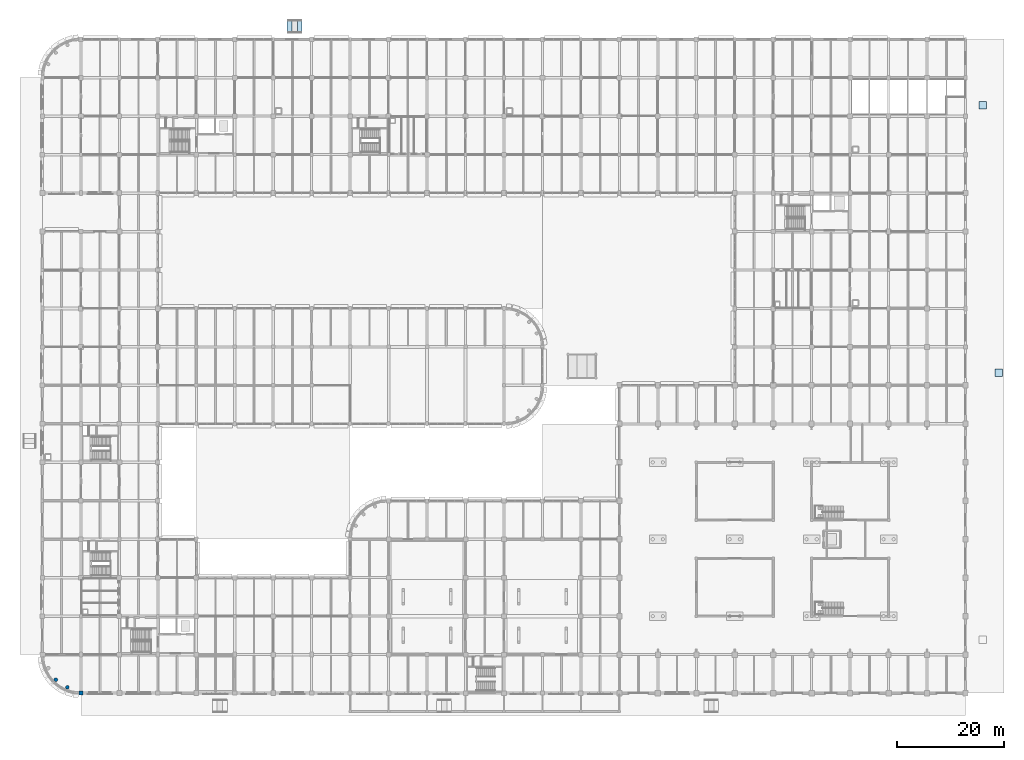
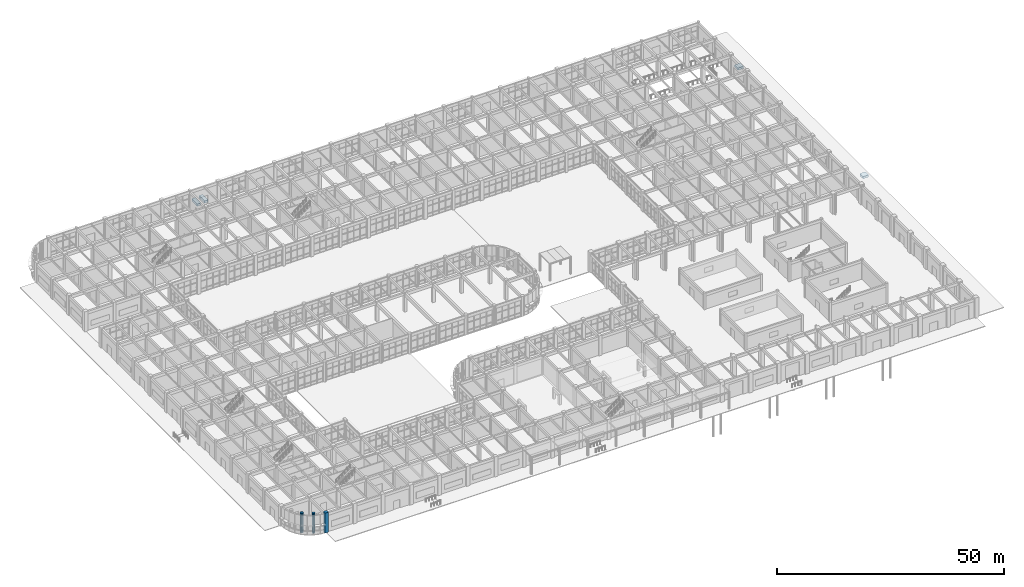
# One storey, part 2 of 160: 4 footings, 3 columns.
"""IFC4 building model written with IfcOpenShell, lengths in metres."""

from ifc_helpers import new_model, si_unit, direction, frame, origin, origin_2d, place, context, subcontext, project, spatial, rectangle, circle, extrude, material, material_profile, profile_set, type_object, element, save


model = new_model("IFC4")

# Units and contexts
model_context = context("Model", 3, precision=1e-05, world=origin(), true_north=direction((0.0, 1.0)))
body_context = subcontext(model_context, "Body", "Model", "MODEL_VIEW")
ifc_project = project(units=[si_unit("LENGTHUNIT", "METRE"), si_unit("AREAUNIT", "SQUARE_METRE"), si_unit("VOLUMEUNIT", "CUBIC_METRE"), si_unit("PLANEANGLEUNIT", "RADIAN"), si_unit("MASSUNIT", "GRAM", prefix="KILO")], contexts=[model_context])

# Site, building, storey
site_placement = place(None, origin())
site = spatial("IfcSite", under=ifc_project, at=site_placement, CompositionType="ELEMENT")
building_placement = place(site_placement, origin())
building = spatial("IfcBuilding", under=site, at=building_placement, Name="Thalmaran Polytechnic", CompositionType="ELEMENT")
storey_placement = place(building_placement, origin())
storey = spatial("IfcBuildingStorey", under=building, at=storey_placement, Name="L00", CompositionType="ELEMENT", Elevation=0.0)

# Footings
ifc_material_1 = material(Name="Concrete C40/50", Category="concrete")
footing_type = type_object("IfcFootingType", Name="FN-PF03", PredefinedType="PAD_FOOTING", material=ifc_material_1)
for number, where, z_axis, x_axis, name in (
    (1, (179.0, 60.0, -0.800048828125), (0.0, 0.0, 1.0), (1.0, 0.0, 0.0), "Apron Edge Footing 60"),
    (2, (176.0, 110.0, -0.800048828125), (0.0, 0.0, 1.0), (1.0, 0.0, 0.0), "Apron Edge Footing 110"),
):
    element("IfcFooting", number, at=place(storey_placement, frame(where, z_axis=z_axis, x_axis=x_axis)), inside=storey, type_object=footing_type, Name=name, PredefinedType="PAD_FOOTING", context=body_context, shape_type="SweptSolid", body=[
        extrude(rectangle(XDim=1.39990234375, YDim=1.39990234375, at=origin_2d()), origin(), (0.0, 0.0, 1.0), 0.60009765625),
    ])
for number, where, z_axis, x_axis, name in (
    (3, (46.25, 124.800048828125, -0.780029296875), (0.0, 0.0, 1.0), (1.0, 0.0, 0.0), "Entrance Ramp Toe Footing PED5"),
    (4, (48.14990234375, 124.800048828125, -0.60009765625), (0.0, 0.0, 1.0), (1.0, 0.0, 0.0), "Entrance Ramp Top Footing PED5"),
):
    element("IfcFooting", number, at=place(storey_placement, frame(where, z_axis=z_axis, x_axis=x_axis)), inside=storey, type_object=footing_type, Name=name, PredefinedType="PAD_FOOTING", context=body_context, shape_type="SweptSolid", body=[
        extrude(rectangle(XDim=0.89990234375, YDim=2.39990234375, at=origin_2d()), origin(), (0.0, 0.0, 1.0), 0.60009765625),
    ])

# Columns
ifc_material_2 = material(Name="Concrete C50/60", Category="concrete")
ifc_material_profile_1 = material_profile(ifc_material_2, rectangle(XDim=0.800048828125, YDim=0.800048828125, at=origin_2d()), Name="RC 800x800")
ifc_profile_set_1 = profile_set([ifc_material_profile_1], Name="Concrete C50/60")
column_type_1 = type_object("IfcColumnType", Name="COL-C03", PredefinedType="COLUMN", material=ifc_profile_set_1)
column_placement = place(storey_placement, frame((7.199951171875, 0.0, 0.0), z_axis=(0.0, 0.0, 1.0), x_axis=(1.0, 0.0, 0.0)))
element("IfcColumn", 5, at=column_placement, inside=storey, type_object=column_type_1, Name="Column C03 L00 (1,0)", PredefinedType="COLUMN", context=body_context, shape_type="SweptSolid", body=[
    extrude(rectangle(XDim=0.800048828125, YDim=0.800048828125, at=origin_2d()), origin(), (0.0, 0.0, 1.0), 5.39990234375),
])
ifc_material_profile_2 = material_profile(ifc_material_1, circle(Radius=0.35009765625, at=origin_2d()), Name="RC 700 DIA")
ifc_profile_set_2 = profile_set([ifc_material_profile_2], Name="Concrete C40/50")
column_type_2 = type_object("IfcColumnType", Name="COL-C15", PredefinedType="COLUMN", material=ifc_profile_set_2)
for number, where, z_axis, x_axis, name in (
    (6, (2.51904296875, 2.51904296875, 0.0), (0.0, 0.0, 1.0), (1.0, 0.0, 0.0), "Prow Column SWP2 L00"),
    (7, (4.666748046875, 1.083984375, 0.0), (0.0, 0.0, 1.0), (1.0, 0.0, 0.0), "Prow Column SWP3 L00"),
):
    element("IfcColumn", number, at=place(storey_placement, frame(where, z_axis=z_axis, x_axis=x_axis)), inside=storey, type_object=column_type_2, Name=name, PredefinedType="COLUMN", context=body_context, shape_type="SweptSolid", body=[
        extrude(circle(Radius=0.35009765625, at=origin_2d()), origin(), (0.0, 0.0, 1.0), 5.39990234375),
    ])

save(model, "model.ifc")
